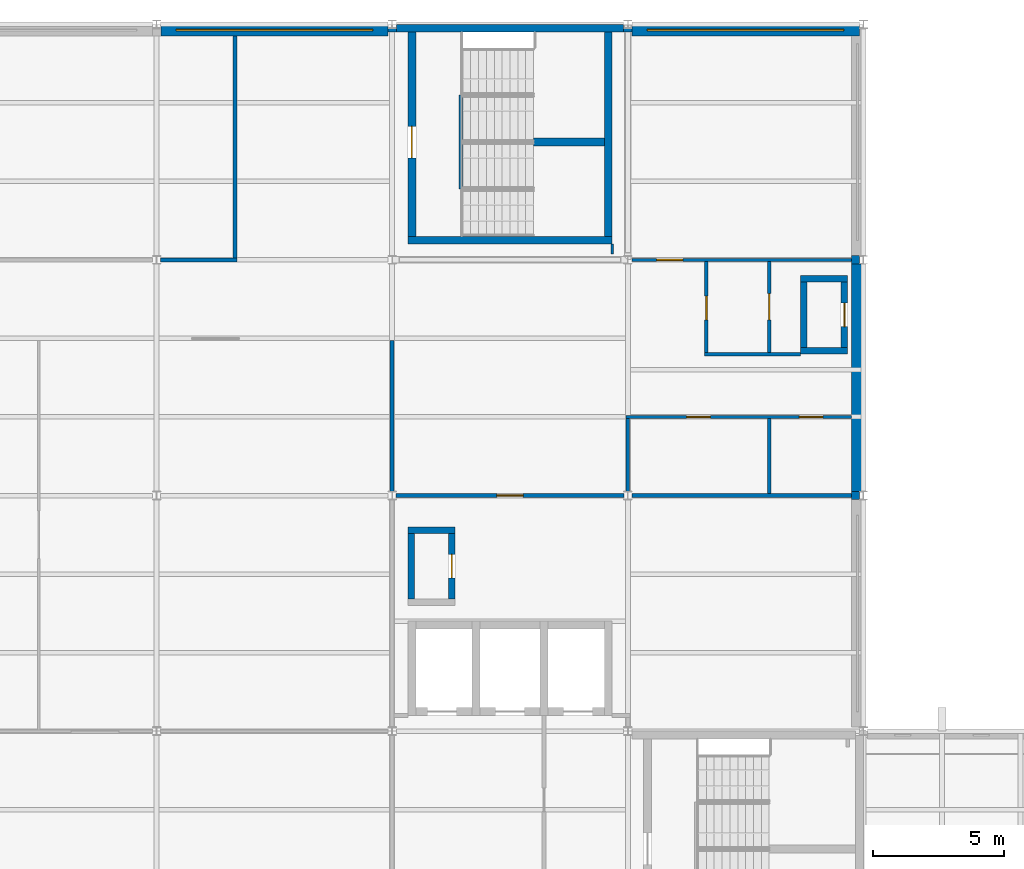
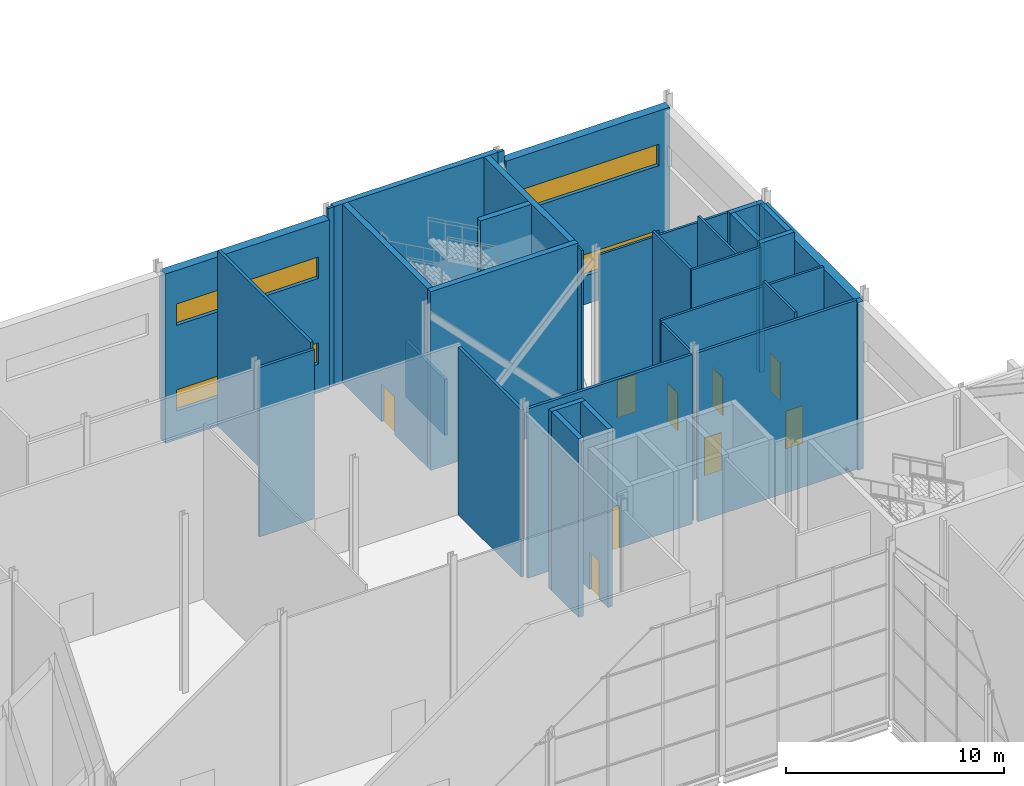
# One storey, part 94 of 111: 33 walls, 9 doors, 4 windows, 13 openings.
"""IFC4 building model written with IfcOpenShell, lengths in metres."""

from ifc_helpers import new_model, si_unit, direction, frame, frame_2d, origin, place, context, subcontext, project, spatial, rectangle, extrude, material, layer, layer_set, type_object, element, fill, save


model = new_model("IFC4")

# Units and contexts
model_context = context("Model", 3, precision=1e-05, world=origin(), true_north=direction((0.0, 1.0)))
body_context = subcontext(model_context, "Body", "Model", "MODEL_VIEW")
ifc_project = project(units=[si_unit("LENGTHUNIT", "METRE"), si_unit("AREAUNIT", "SQUARE_METRE"), si_unit("VOLUMEUNIT", "CUBIC_METRE"), si_unit("PLANEANGLEUNIT", "RADIAN"), si_unit("MASSUNIT", "GRAM", prefix="KILO")], contexts=[model_context])

# Site, building, storey
site_placement = place(None, origin())
site = spatial("IfcSite", under=ifc_project, at=site_placement, CompositionType="ELEMENT")
building_placement = place(site_placement, origin())
building = spatial("IfcBuilding", under=site, at=building_placement, Name="Shorebreak Coast Museum", CompositionType="ELEMENT")
storey_placement = place(building_placement, frame((0.0, 0.0, 16.0)))
storey = spatial("IfcBuildingStorey", under=building, at=storey_placement, Name="L03", CompositionType="ELEMENT", Elevation=16.0)

# Walls
ifc_material_1 = material(Name="Concrete N50 (50 MPa)", Category="concrete")
ifc_layer_1 = layer(ifc_material_1, 0.136474609375)
ifc_layer_set_1 = layer_set([ifc_layer_1], Name="Concrete N50 (50 MPa)")
wall_type_1 = type_object("IfcWallType", Name="Column closure panel 136", PredefinedType="SOLIDWALL", material=ifc_layer_set_1)
for number, where, z_axis, x_axis, name in (
    (1, (98.83349609375, 116.768310546875, 0.0), (0.0, 0.0, 1.0), (1.0, 0.0, 0.0), "Column closure panel L03 N 12P"),
    (2, (107.844482421875, 116.768310546875, 0.0), (0.0, 0.0, 1.0), (1.0, 0.0, 0.0), "Column closure panel L03 N 13P"),
):
    element("IfcWall", number, at=place(storey_placement, frame(where, z_axis=z_axis, x_axis=x_axis)), inside=storey, type_object=wall_type_1, Name=name, PredefinedType="SOLIDWALL", context=body_context, shape_type="SweptSolid", body=[
        extrude(rectangle(XDim=0.322021484375, YDim=0.136474609375, at=frame_2d((0.1611328125, 0.0))), origin(), (0.0, 0.0, 1.0), 10.0),
    ])
ifc_material_2 = material(Name="Concrete N50 (50 MPa)", Category="concrete")
ifc_layer_2 = layer(ifc_material_2, 0.29638671875)
ifc_layer_set_2 = layer_set([ifc_layer_2], Name="Concrete N50 (50 MPa)")
wall_type_2 = type_object("IfcWallType", Name="Column closure panel 297", PredefinedType="SOLIDWALL", material=ifc_layer_set_2)
for number, where, z_axis, x_axis, name in (
    (3, (116.69873046875, 98.839111328125, 0.0), (0.0, 0.0, 1.0), (0.0, 1.0, 0.0), "Column closure panel L03 E 14M"),
    (4, (116.69873046875, 107.839111328125, 0.0), (0.0, 0.0, 1.0), (0.0, 1.0, 0.0), "Column closure panel L03 E 14N"),
):
    element("IfcWall", number, at=place(storey_placement, frame(where, z_axis=z_axis, x_axis=x_axis)), inside=storey, type_object=wall_type_2, Name=name, PredefinedType="SOLIDWALL", context=body_context, shape_type="SweptSolid", body=[
        extrude(rectangle(XDim=0.32177734375, YDim=0.297607421875, at=frame_2d((0.160888671875, 0.0))), origin(), (0.0, 0.0, 1.0), 9.37109375),
    ])
ifc_material_3 = material(Name="Concrete N50 (50 MPa)", Category="concrete")
ifc_layer_3 = layer(ifc_material_3, 0.449951171875)
ifc_layer_set_3 = layer_set([ifc_layer_3], Name="Concrete N50 (50 MPa)")
wall_type_3 = type_object("IfcWallType", Name="Deep-set precast panel 450", PredefinedType="SOLIDWALL", material=ifc_layer_set_3)
wall_1_placement = place(storey_placement, frame((116.77490234375, 99.160888671875, 0.0), z_axis=(0.0, 0.0, 1.0), x_axis=(0.0, 1.0, 0.0)))
element("IfcWall", 5, at=wall_1_placement, inside=storey, type_object=wall_type_3, Name="External wall L03 E 14M", PredefinedType="SOLIDWALL", context=body_context, shape_type="SweptSolid", body=[
    extrude(rectangle(XDim=8.67822265625, YDim=0.449951171875, at=frame_2d((4.339111328125, 0.0))), origin(), (0.0, 0.0, 1.0), 9.37109375),
])

# Wall, openings, windows
wall_2_placement = place(storey_placement, frame((90.160888671875, 116.77490234375, 0.0), z_axis=(0.0, 0.0, 1.0), x_axis=(1.0, 0.0, 0.0)))
wall_2 = element("IfcWall", 6, at=wall_2_placement, inside=storey, type_object=wall_type_3, Name="External wall L03 N 11P", PredefinedType="SOLIDWALL", context=body_context, shape_type="SweptSolid", body=[
    extrude(rectangle(XDim=8.672607421875, YDim=0.449951171875, at=frame_2d((4.33642578125, 0.0))), origin(), (0.0, 0.0, 1.0), 9.472900390625),
])
opening_1_placement = place(wall_2_placement, frame((0.589111328125, 0.0, 1.60009765625)))
opening_1 = element("IfcOpeningElement", 7, at=opening_1_placement, cuts=wall_2, Name="Opening WN3026", PredefinedType="OPENING", context=body_context, shape_type="SweptSolid", body=[
    extrude(rectangle(XDim=7.5, YDim=1.199951171875, at=frame_2d((3.75, 0.60009765625))), frame((0.0, 0.23486328125, 0.0), z_axis=(0.0, -1.0, 0.0), x_axis=(1.0, 0.0, 0.0)), (0.0, 0.0, 1.0), 0.469970703125),
])
opening_2_placement = place(wall_2_placement, frame((0.589111328125, 0.0, 6.39990234375)))
opening_2 = element("IfcOpeningElement", 8, at=opening_2_placement, cuts=wall_2, Name="Opening WN3027", PredefinedType="OPENING", context=body_context, shape_type="SweptSolid", body=[
    extrude(rectangle(XDim=7.5, YDim=1.199951171875, at=frame_2d((3.75, 0.60009765625))), frame((0.0, 0.23486328125, 0.0), z_axis=(0.0, -1.0, 0.0), x_axis=(1.0, 0.0, 0.0)), (0.0, 0.0, 1.0), 0.469970703125),
])
ifc_material_4 = material(Name="Aluminium", Category="aluminium")
window_type_1 = type_object("IfcWindowType", Name="Ribbon window 7500 x 1200", PartitioningType="SINGLE_PANEL", PredefinedType="WINDOW", material=ifc_material_4)
window_1_placement = place(opening_1_placement, origin())
window_1 = element("IfcWindow", 9, at=window_1_placement, inside=storey, type_object=window_type_1, Name="Window WN3026", OverallHeight=1.199951171875, OverallWidth=7.5, PartitioningType="SINGLE_PANEL", PredefinedType="WINDOW", context=body_context, shape_type="SweptSolid", body=[
    extrude(rectangle(XDim=7.5, YDim=1.199951171875, at=frame_2d((3.75, 0.60009765625))), frame((0.0, 0.030029296875, 0.0), z_axis=(0.0, -1.0, 0.0), x_axis=(1.0, 0.0, 0.0)), (0.0, 0.0, 1.0), 0.06005859375),
])
fill(opening_1, window_1)
ifc_material_5 = material(Name="Aluminium", Category="aluminium")
window_type_2 = type_object("IfcWindowType", Name="Upper ribbon window 7500 x 1200", PartitioningType="SINGLE_PANEL", PredefinedType="WINDOW", material=ifc_material_5)
window_2_placement = place(opening_2_placement, origin())
window_2 = element("IfcWindow", 10, at=window_2_placement, inside=storey, type_object=window_type_2, Name="Window WN3027", OverallHeight=1.199951171875, OverallWidth=7.5, PartitioningType="SINGLE_PANEL", PredefinedType="WINDOW", context=body_context, shape_type="SweptSolid", body=[
    extrude(rectangle(XDim=7.5, YDim=1.199951171875, at=frame_2d((3.75, 0.60009765625))), frame((0.0, 0.030029296875, 0.0), z_axis=(0.0, -1.0, 0.0), x_axis=(1.0, 0.0, 0.0)), (0.0, 0.0, 1.0), 0.06005859375),
])
fill(opening_2, window_2)

wall_3_placement = place(storey_placement, frame((108.16650390625, 116.77490234375, 0.0), z_axis=(0.0, 0.0, 1.0), x_axis=(1.0, 0.0, 0.0)))
wall_3 = element("IfcWall", 11, at=wall_3_placement, inside=storey, type_object=wall_type_3, Name="External wall L03 N 13P", PredefinedType="SOLIDWALL", context=body_context, shape_type="SweptSolid", body=[
    extrude(rectangle(XDim=8.677978515625, YDim=0.449951171875, at=frame_2d((4.3388671875, 0.0))), origin(), (0.0, 0.0, 1.0), 9.472900390625),
])
opening_3_placement = place(wall_3_placement, frame((0.58349609375, 0.0, 1.60009765625)))
opening_3 = element("IfcOpeningElement", 12, at=opening_3_placement, cuts=wall_3, Name="Opening WN3028", PredefinedType="OPENING", context=body_context, shape_type="SweptSolid", body=[
    extrude(rectangle(XDim=7.5, YDim=1.199951171875, at=frame_2d((3.75, 0.60009765625))), frame((0.0, 0.23486328125, 0.0), z_axis=(0.0, -1.0, 0.0), x_axis=(1.0, 0.0, 0.0)), (0.0, 0.0, 1.0), 0.469970703125),
])
opening_4_placement = place(wall_3_placement, frame((0.58349609375, 0.0, 6.39990234375)))
opening_4 = element("IfcOpeningElement", 13, at=opening_4_placement, cuts=wall_3, Name="Opening WN3029", PredefinedType="OPENING", context=body_context, shape_type="SweptSolid", body=[
    extrude(rectangle(XDim=7.5, YDim=1.199951171875, at=frame_2d((3.75, 0.60009765625))), frame((0.0, 0.23486328125, 0.0), z_axis=(0.0, -1.0, 0.0), x_axis=(1.0, 0.0, 0.0)), (0.0, 0.0, 1.0), 0.469970703125),
])
window_3_placement = place(opening_3_placement, origin())
window_3 = element("IfcWindow", 14, at=window_3_placement, inside=storey, type_object=window_type_1, Name="Window WN3028", OverallHeight=1.199951171875, OverallWidth=7.5, PartitioningType="SINGLE_PANEL", PredefinedType="WINDOW", context=body_context, shape_type="SweptSolid", body=[
    extrude(rectangle(XDim=7.5, YDim=1.199951171875, at=frame_2d((3.75, 0.60009765625))), frame((0.0, 0.030029296875, 0.0), z_axis=(0.0, -1.0, 0.0), x_axis=(1.0, 0.0, 0.0)), (0.0, 0.0, 1.0), 0.06005859375),
])
fill(opening_3, window_3)
window_4_placement = place(opening_4_placement, origin())
window_4 = element("IfcWindow", 15, at=window_4_placement, inside=storey, type_object=window_type_2, Name="Window WN3029", OverallHeight=1.199951171875, OverallWidth=7.5, PartitioningType="SINGLE_PANEL", PredefinedType="WINDOW", context=body_context, shape_type="SweptSolid", body=[
    extrude(rectangle(XDim=7.5, YDim=1.199951171875, at=frame_2d((3.75, 0.60009765625))), frame((0.0, 0.030029296875, 0.0), z_axis=(0.0, -1.0, 0.0), x_axis=(1.0, 0.0, 0.0)), (0.0, 0.0, 1.0), 0.06005859375),
])
fill(opening_4, window_4)

# Wall, opening, door
ifc_material_6 = material(Name="Plasterboard on steel stud", Category="steel")
ifc_layer_4 = layer(ifc_material_6, 0.14990234375)
ifc_layer_set_4 = layer_set([ifc_layer_4], Name="Plasterboard on steel stud")
wall_type_4 = type_object("IfcWallType", Name="Fire partition 150", PredefinedType="PARTITIONING", material=ifc_layer_set_4)
wall_4_placement = place(storey_placement, frame((99.152587890625, 99.0, 0.0), z_axis=(0.0, 0.0, 1.0), x_axis=(1.0, 0.0, 0.0)))
wall_4 = element("IfcWall", 16, at=wall_4_placement, inside=storey, type_object=wall_type_4, Name="Partition L03-028", PredefinedType="PARTITIONING", context=body_context, shape_type="SweptSolid", body=[
    extrude(rectangle(XDim=8.69482421875, YDim=0.14990234375, at=frame_2d((4.347412109375, 0.0))), origin(), (0.0, 0.0, 1.0), 9.472900390625),
])
opening_5_placement = place(wall_4_placement, frame((3.85009765625, 0.0, 0.0)))
opening_5 = element("IfcOpeningElement", 17, at=opening_5_placement, cuts=wall_4, Name="Opening D3008", PredefinedType="OPENING", context=body_context, shape_type="SweptSolid", body=[
    extrude(rectangle(XDim=1.0, YDim=2.39990234375, at=frame_2d((0.5, 1.199951171875))), frame((0.0, 0.0849609375, 0.0), z_axis=(0.0, -1.0, 0.0), x_axis=(1.0, 0.0, 0.0)), (0.0, 0.0, 1.0), 0.169921875),
])
ifc_material_7 = material(Name="Steel", Category="steel")
door_type_1 = type_object("IfcDoorType", Name="Fire door 1000x2400 60", OperationType="SINGLE_SWING_LEFT", PredefinedType="DOOR", material=ifc_material_7)
door_1_placement = place(opening_5_placement, origin())
door_1 = element("IfcDoor", 18, at=door_1_placement, inside=storey, type_object=door_type_1, Name="Door D3008 Lift Services Room E", OperationType="SINGLE_SWING_LEFT", OverallHeight=2.39990234375, OverallWidth=1.0, PredefinedType="DOOR", context=body_context, shape_type="SweptSolid", body=[
    extrude(rectangle(XDim=1.0, YDim=2.39990234375, at=frame_2d((0.5, 1.199951171875))), frame((0.0, 0.02490234375, 0.0), z_axis=(0.0, -1.0, 0.0), x_axis=(1.0, 0.0, 0.0)), (0.0, 0.0, 1.0), 0.050048828125),
])
fill(opening_5, door_1)

# Walls
wall_5_placement = place(storey_placement, frame((108.152587890625, 99.0, 0.0), z_axis=(0.0, 0.0, 1.0), x_axis=(1.0, 0.0, 0.0)))
element("IfcWall", 19, at=wall_5_placement, inside=storey, type_object=wall_type_4, Name="Partition L03-029", PredefinedType="PARTITIONING", context=body_context, shape_type="SweptSolid", body=[
    extrude(rectangle(XDim=8.3974609375, YDim=0.14990234375, at=frame_2d((4.19873046875, 0.0))), origin(), (0.0, 0.0, 1.0), 9.472900390625),
])
wall_6_placement = place(storey_placement, frame((90.152587890625, 108.0, 0.0), z_axis=(0.0, 0.0, 1.0), x_axis=(1.0, 0.0, 0.0)))
element("IfcWall", 20, at=wall_6_placement, inside=storey, type_object=wall_type_4, Name="Partition L03-038", PredefinedType="PARTITIONING", context=body_context, shape_type="SweptSolid", body=[
    extrude(rectangle(XDim=2.92236328125, YDim=0.14990234375, at=frame_2d((1.461181640625, 0.0))), origin(), (0.0, 0.0, 1.0), 9.472900390625),
])
wall_7_placement = place(storey_placement, frame((93.0, 108.074951171875, 0.0), z_axis=(0.0, 0.0, 1.0), x_axis=(0.0, 1.0, 0.0)))
element("IfcWall", 21, at=wall_7_placement, inside=storey, type_object=wall_type_4, Name="Partition L03-059", PredefinedType="PARTITIONING", context=body_context, shape_type="SweptSolid", body=[
    extrude(rectangle(XDim=8.47509765625, YDim=0.14990234375, at=frame_2d((4.237548828125, 0.0))), origin(), (0.0, 0.0, 1.0), 9.824951171875),
])
wall_8_placement = place(storey_placement, frame((99.0, 99.154052734375, 0.0), z_axis=(0.0, 0.0, 1.0), x_axis=(0.0, 1.0, 0.0)))
element("IfcWall", 22, at=wall_8_placement, inside=storey, type_object=wall_type_4, Name="Partition L03-062", PredefinedType="PARTITIONING", context=body_context, shape_type="SweptSolid", body=[
    extrude(rectangle(XDim=5.77099609375, YDim=0.14990234375, at=frame_2d((2.885498046875, 0.0))), origin(), (0.0, 0.0, 1.0), 9.37109375),
])
ifc_material_8 = material(Name="Plasterboard on steel stud", Category="steel")
ifc_layer_5 = layer(ifc_material_8, 0.10009765625)
ifc_layer_set_5 = layer_set([ifc_layer_5], Name="Plasterboard on steel stud")
wall_type_5 = type_object("IfcWallType", Name="Partition 100", PredefinedType="PARTITIONING", material=ifc_layer_set_5)
wall_9_placement = place(storey_placement, frame((107.39990234375, 108.219970703125, 0.0), z_axis=(0.0, 0.0, 1.0), x_axis=(0.0, 1.0, 0.0)))
element("IfcWall", 23, at=wall_9_placement, inside=storey, type_object=wall_type_5, Name="Partition L03-065", PredefinedType="PARTITIONING", context=body_context, shape_type="SweptSolid", body=[
    extrude(rectangle(XDim=0.380126953125, YDim=0.10009765625, at=frame_2d((0.18994140625, 0.0))), origin(), (0.0, 0.0, 1.0), 9.824951171875),
])

# Wall, openings, doors
ifc_material_9 = material(Name="Plasterboard on steel stud", Category="steel")
ifc_layer_6 = layer(ifc_material_9, 0.125)
ifc_layer_set_6 = layer_set([ifc_layer_6], Name="Plasterboard on steel stud")
wall_type_6 = type_object("IfcWallType", Name="Partition 125", PredefinedType="PARTITIONING", material=ifc_layer_set_6)
wall_10_placement = place(storey_placement, frame((107.9375, 102.0, 0.0), z_axis=(0.0, 0.0, 1.0), x_axis=(1.0, 0.0, 0.0)))
wall_10 = element("IfcWall", 24, at=wall_10_placement, inside=storey, type_object=wall_type_6, Name="Partition L03-031", PredefinedType="PARTITIONING", context=body_context, shape_type="SweptSolid", body=[
    extrude(rectangle(XDim=8.612548828125, YDim=0.125, at=frame_2d((4.30615234375, 0.0))), origin(), (0.0, 0.0, 1.0), 9.52099609375),
])
opening_6_placement = place(wall_10_placement, frame((6.612548828125, 0.0, 0.0)))
opening_6 = element("IfcOpeningElement", 25, at=opening_6_placement, cuts=wall_10, Name="Opening D3015", PredefinedType="OPENING", context=body_context, shape_type="SweptSolid", body=[
    extrude(rectangle(XDim=0.89990234375, YDim=2.10009765625, at=frame_2d((0.449951171875, 1.050048828125))), frame((0.0, 0.072509765625, 0.0), z_axis=(0.0, -1.0, 0.0), x_axis=(1.0, 0.0, 0.0)), (0.0, 0.0, 1.0), 0.14501953125),
])
opening_7_placement = place(wall_10_placement, frame((2.3125, 0.0, 0.0)))
opening_7 = element("IfcOpeningElement", 26, at=opening_7_placement, cuts=wall_10, Name="Opening D3016", PredefinedType="OPENING", context=body_context, shape_type="SweptSolid", body=[
    extrude(rectangle(XDim=0.89990234375, YDim=2.10009765625, at=frame_2d((0.449951171875, 1.050048828125))), frame((0.0, 0.072509765625, 0.0), z_axis=(0.0, -1.0, 0.0), x_axis=(1.0, 0.0, 0.0)), (0.0, 0.0, 1.0), 0.14501953125),
])
ifc_material_10 = material(Name="Timber", Category="wood")
door_type_2 = type_object("IfcDoorType", Name="Interior door 900x2100", OperationType="SINGLE_SWING_LEFT", PredefinedType="DOOR", material=ifc_material_10)
door_2_placement = place(opening_6_placement, origin())
door_2 = element("IfcDoor", 27, at=door_2_placement, inside=storey, type_object=door_type_2, Name="Door D3015 Accessible WC N2", OperationType="SINGLE_SWING_LEFT", OverallHeight=2.10009765625, OverallWidth=0.89990234375, PredefinedType="DOOR", context=body_context, shape_type="SweptSolid", body=[
    extrude(rectangle(XDim=0.89990234375, YDim=2.10009765625, at=frame_2d((0.449951171875, 1.050048828125))), frame((0.0, 0.02490234375, 0.0), z_axis=(0.0, -1.0, 0.0), x_axis=(1.0, 0.0, 0.0)), (0.0, 0.0, 1.0), 0.050048828125),
])
fill(opening_6, door_2)
door_3_placement = place(opening_7_placement, origin())
door_3 = element("IfcDoor", 28, at=door_3_placement, inside=storey, type_object=door_type_2, Name="Door D3016 Male WC N2", OperationType="SINGLE_SWING_LEFT", OverallHeight=2.10009765625, OverallWidth=0.89990234375, PredefinedType="DOOR", context=body_context, shape_type="SweptSolid", body=[
    extrude(rectangle(XDim=0.89990234375, YDim=2.10009765625, at=frame_2d((0.449951171875, 1.050048828125))), frame((0.0, 0.02490234375, 0.0), z_axis=(0.0, -1.0, 0.0), x_axis=(1.0, 0.0, 0.0)), (0.0, 0.0, 1.0), 0.050048828125),
])
fill(opening_7, door_3)

# Wall
wall_11_placement = place(storey_placement, frame((110.9375, 104.39990234375, 0.0), z_axis=(0.0, 0.0, 1.0), x_axis=(1.0, 0.0, 0.0)))
element("IfcWall", 29, at=wall_11_placement, inside=storey, type_object=wall_type_6, Name="Partition L03-033", PredefinedType="PARTITIONING", context=body_context, shape_type="SweptSolid", body=[
    extrude(rectangle(XDim=3.66259765625, YDim=0.125, at=frame_2d((1.831298828125, 0.0))), origin(), (0.0, 0.0, 1.0), 9.824951171875),
])

# Wall, opening, door
wall_12_placement = place(storey_placement, frame((108.152587890625, 108.0, 0.0), z_axis=(0.0, 0.0, 1.0), x_axis=(1.0, 0.0, 0.0)))
wall_12 = element("IfcWall", 30, at=wall_12_placement, inside=storey, type_object=wall_type_6, Name="Partition L03-039", PredefinedType="PARTITIONING", context=body_context, shape_type="SweptSolid", body=[
    extrude(rectangle(XDim=8.3974609375, YDim=0.125, at=frame_2d((4.19873046875, 0.0))), origin(), (0.0, 0.0, 1.0), 9.472900390625),
])
opening_8_placement = place(wall_12_placement, frame((0.949951171875, 0.0, 0.0)))
opening_8 = element("IfcOpeningElement", 31, at=opening_8_placement, cuts=wall_12, Name="Opening D3018", PredefinedType="OPENING", context=body_context, shape_type="SweptSolid", body=[
    extrude(rectangle(XDim=1.0, YDim=2.10009765625, at=frame_2d((0.5, 1.050048828125))), frame((0.0, 0.072509765625, 0.0), z_axis=(0.0, -1.0, 0.0), x_axis=(1.0, 0.0, 0.0)), (0.0, 0.0, 1.0), 0.14501953125),
])
ifc_material_11 = material(Name="Timber", Category="wood")
door_type_3 = type_object("IfcDoorType", Name="Interior door 1000x2100", OperationType="SINGLE_SWING_LEFT", PredefinedType="DOOR", material=ifc_material_11)
door_4_placement = place(opening_8_placement, origin())
door_4 = element("IfcDoor", 32, at=door_4_placement, inside=storey, type_object=door_type_3, Name="Door D3018 Services Store 3.02", OperationType="SINGLE_SWING_RIGHT", OverallHeight=2.10009765625, OverallWidth=1.0, PredefinedType="DOOR", context=body_context, shape_type="SweptSolid", body=[
    extrude(rectangle(XDim=1.0, YDim=2.10009765625, at=frame_2d((0.5, 1.050048828125))), frame((0.0, 0.02490234375, 0.0), z_axis=(0.0, -1.0, 0.0), x_axis=(1.0, 0.0, 0.0)), (0.0, 0.0, 1.0), 0.050048828125),
])
fill(opening_8, door_4)

# Wall
wall_13_placement = place(storey_placement, frame((108.0, 99.154052734375, 0.0), z_axis=(0.0, 0.0, 1.0), x_axis=(0.0, 1.0, 0.0)))
element("IfcWall", 33, at=wall_13_placement, inside=storey, type_object=wall_type_6, Name="Partition L03-067", PredefinedType="PARTITIONING", context=body_context, shape_type="SweptSolid", body=[
    extrude(rectangle(XDim=2.783447265625, YDim=0.125, at=frame_2d((1.3916015625, 0.0))), origin(), (0.0, 0.0, 1.0), 9.37109375),
])

# Wall, opening, door
wall_14_placement = place(storey_placement, frame((111.0, 104.46240234375, 0.0), z_axis=(0.0, 0.0, 1.0), x_axis=(0.0, 1.0, 0.0)))
wall_14 = element("IfcWall", 34, at=wall_14_placement, inside=storey, type_object=wall_type_6, Name="Partition L03-071", PredefinedType="PARTITIONING", context=body_context, shape_type="SweptSolid", body=[
    extrude(rectangle(XDim=3.47509765625, YDim=0.125, at=frame_2d((1.737548828125, 0.0))), origin(), (0.0, 0.0, 1.0), 9.824951171875),
])
opening_9_placement = place(wall_14_placement, frame((1.25, 0.0, 0.0)))
opening_9 = element("IfcOpeningElement", 35, at=opening_9_placement, cuts=wall_14, Name="Opening D3014", PredefinedType="OPENING", context=body_context, shape_type="SweptSolid", body=[
    extrude(rectangle(XDim=0.89990234375, YDim=2.10009765625, at=frame_2d((0.449951171875, 1.050048828125))), frame((0.0, 0.072509765625, 0.0), z_axis=(0.0, -1.0, 0.0), x_axis=(1.0, 0.0, 0.0)), (0.0, 0.0, 1.0), 0.14501953125),
])
door_5_placement = place(opening_9_placement, origin())
door_5 = element("IfcDoor", 36, at=door_5_placement, inside=storey, type_object=door_type_2, Name="Door D3014 Female WC N2", OperationType="SINGLE_SWING_LEFT", OverallHeight=2.10009765625, OverallWidth=0.89990234375, PredefinedType="DOOR", context=body_context, shape_type="SweptSolid", body=[
    extrude(rectangle(XDim=0.89990234375, YDim=2.10009765625, at=frame_2d((0.449951171875, 1.050048828125))), frame((0.0, 0.02490234375, 0.0), z_axis=(0.0, -1.0, 0.0), x_axis=(1.0, 0.0, 0.0)), (0.0, 0.0, 1.0), 0.050048828125),
])
fill(opening_9, door_5)

# Wall
wall_15_placement = place(storey_placement, frame((113.39990234375, 99.074951171875, 0.0), z_axis=(0.0, 0.0, 1.0), x_axis=(0.0, 1.0, 0.0)))
element("IfcWall", 37, at=wall_15_placement, inside=storey, type_object=wall_type_6, Name="Partition L03-072", PredefinedType="PARTITIONING", context=body_context, shape_type="SweptSolid", body=[
    extrude(rectangle(XDim=2.862548828125, YDim=0.125, at=frame_2d((1.43115234375, 0.0))), origin(), (0.0, 0.0, 1.0), 9.824951171875),
])

# Wall, opening, door
wall_16_placement = place(storey_placement, frame((113.39990234375, 104.46240234375, 0.0), z_axis=(0.0, 0.0, 1.0), x_axis=(0.0, 1.0, 0.0)))
wall_16 = element("IfcWall", 38, at=wall_16_placement, inside=storey, type_object=wall_type_6, Name="Partition L03-073", PredefinedType="PARTITIONING", context=body_context, shape_type="SweptSolid", body=[
    extrude(rectangle(XDim=3.47509765625, YDim=0.125, at=frame_2d((1.737548828125, 0.0))), origin(), (0.0, 0.0, 1.0), 9.824951171875),
])
opening_10_placement = place(wall_16_placement, frame((1.25, 0.0, 0.0)))
opening_10 = element("IfcOpeningElement", 39, at=opening_10_placement, cuts=wall_16, Name="Opening D3013", PredefinedType="OPENING", context=body_context, shape_type="SweptSolid", body=[
    extrude(rectangle(XDim=1.0, YDim=2.10009765625, at=frame_2d((0.5, 1.050048828125))), frame((0.0, 0.072509765625, 0.0), z_axis=(0.0, -1.0, 0.0), x_axis=(1.0, 0.0, 0.0)), (0.0, 0.0, 1.0), 0.14501953125),
])
door_6_placement = place(opening_10_placement, origin())
door_6 = element("IfcDoor", 40, at=door_6_placement, inside=storey, type_object=door_type_3, Name="Door D3013 Cleaner Store N2", OperationType="SINGLE_SWING_RIGHT", OverallHeight=2.10009765625, OverallWidth=1.0, PredefinedType="DOOR", context=body_context, shape_type="SweptSolid", body=[
    extrude(rectangle(XDim=1.0, YDim=2.10009765625, at=frame_2d((0.5, 1.050048828125))), frame((0.0, 0.02490234375, 0.0), z_axis=(0.0, -1.0, 0.0), x_axis=(1.0, 0.0, 0.0)), (0.0, 0.0, 1.0), 0.050048828125),
])
fill(opening_10, door_6)

# Walls
ifc_material_12 = material(Name="Concrete N50 (50 MPa)", Category="concrete")
ifc_layer_7 = layer(ifc_material_12, 0.25)
ifc_layer_set_7 = layer_set([ifc_layer_7], Name="Concrete N50 (50 MPa)")
wall_type_7 = type_object("IfcWallType", Name="RC riser wall 250", PredefinedType="STANDARD", material=ifc_layer_set_7)
for number, where, z_axis, x_axis, name in (
    (41, (114.60009765625, 104.52490234375, 0.0), (0.0, 0.0, 1.0), (1.0, 0.0, 0.0), "Riser wall R-WC-N2 L03 S"),
    (42, (114.60009765625, 107.27490234375, 0.0), (0.0, 0.0, 1.0), (1.0, 0.0, 0.0), "Riser wall R-WC-N2 L03 N"),
):
    element("IfcWall", number, at=place(storey_placement, frame(where, z_axis=z_axis, x_axis=x_axis)), inside=storey, type_object=wall_type_7, Name=name, PredefinedType="STANDARD", context=body_context, shape_type="SweptSolid", body=[
        extrude(rectangle(XDim=1.7998046875, YDim=0.25, at=frame_2d((0.89990234375, 0.0))), origin(), (0.0, 0.0, 1.0), 10.0),
    ])
wall_17_placement = place(storey_placement, frame((114.72509765625, 104.64990234375, 0.0), z_axis=(0.0, 0.0, 1.0), x_axis=(0.0, 1.0, 0.0)))
element("IfcWall", 43, at=wall_17_placement, inside=storey, type_object=wall_type_7, Name="Riser wall R-WC-N2 L03 W", PredefinedType="STANDARD", context=body_context, shape_type="SweptSolid", body=[
    extrude(rectangle(XDim=2.5, YDim=0.25, at=frame_2d((1.25, 0.0))), origin(), (0.0, 0.0, 1.0), 10.0),
])

# Wall, opening, door
wall_18_placement = place(storey_placement, frame((116.27490234375, 104.64990234375, 0.0), z_axis=(0.0, 0.0, 1.0), x_axis=(0.0, 1.0, 0.0)))
wall_18 = element("IfcWall", 44, at=wall_18_placement, inside=storey, type_object=wall_type_7, Name="Riser wall R-WC-N2 L03 E", PredefinedType="STANDARD", context=body_context, shape_type="SweptSolid", body=[
    extrude(rectangle(XDim=2.5, YDim=0.25, at=frame_2d((1.25, 0.0))), origin(), (0.0, 0.0, 1.0), 10.0),
])
opening_11_placement = place(wall_18_placement, frame((0.800048828125, 0.0, 0.0)))
opening_11 = element("IfcOpeningElement", 45, at=opening_11_placement, cuts=wall_18, Name="Opening D3602", PredefinedType="OPENING", context=body_context, shape_type="SweptSolid", body=[
    extrude(rectangle(XDim=0.89990234375, YDim=2.10009765625, at=frame_2d((0.449951171875, 1.050048828125))), frame((0.0, 0.135009765625, 0.0), z_axis=(0.0, -1.0, 0.0), x_axis=(1.0, 0.0, 0.0)), (0.0, 0.0, 1.0), 0.27001953125),
])
ifc_material_13 = material(Name="Steel Grade 300", Category="steel")
door_type_4 = type_object("IfcDoorType", Name="Riser door 900x2100", OperationType="SINGLE_SWING_LEFT", PredefinedType="DOOR", material=ifc_material_13)
door_7_placement = place(opening_11_placement, origin())
door_7 = element("IfcDoor", 46, at=door_7_placement, inside=storey, type_object=door_type_4, Name="Riser door R-WC-N2 L03", OperationType="SINGLE_SWING_RIGHT", OverallHeight=2.10009765625, OverallWidth=0.89990234375, PredefinedType="DOOR", context=body_context, shape_type="SweptSolid", body=[
    extrude(rectangle(XDim=0.89990234375, YDim=2.10009765625, at=frame_2d((0.449951171875, 1.050048828125))), frame((0.0, 0.02490234375, 0.0), z_axis=(0.0, -1.0, 0.0), x_axis=(1.0, 0.0, 0.0)), (0.0, 0.0, 1.0), 0.050048828125),
])
fill(opening_11, door_7)

# Walls
wall_19_placement = place(storey_placement, frame((99.60009765625, 97.675048828125, 0.0), z_axis=(0.0, 0.0, 1.0), x_axis=(1.0, 0.0, 0.0)))
element("IfcWall", 47, at=wall_19_placement, inside=storey, type_object=wall_type_7, Name="Riser wall R-LBE L03 N", PredefinedType="STANDARD", context=body_context, shape_type="SweptSolid", body=[
    extrude(rectangle(XDim=1.7998046875, YDim=0.25, at=frame_2d((0.89990234375, 0.0))), origin(), (0.0, 0.0, 1.0), 10.0),
])
wall_20_placement = place(storey_placement, frame((99.72509765625, 95.050048828125, 0.0), z_axis=(0.0, 0.0, 1.0), x_axis=(0.0, 1.0, 0.0)))
element("IfcWall", 48, at=wall_20_placement, inside=storey, type_object=wall_type_7, Name="Riser wall R-LBE L03 W", PredefinedType="STANDARD", context=body_context, shape_type="SweptSolid", body=[
    extrude(rectangle(XDim=2.5, YDim=0.25, at=frame_2d((1.25, 0.0))), origin(), (0.0, 0.0, 1.0), 10.0),
])

# Wall, opening, door
wall_21_placement = place(storey_placement, frame((101.27490234375, 95.050048828125, 0.0), z_axis=(0.0, 0.0, 1.0), x_axis=(0.0, 1.0, 0.0)))
wall_21 = element("IfcWall", 49, at=wall_21_placement, inside=storey, type_object=wall_type_7, Name="Riser wall R-LBE L03 E", PredefinedType="STANDARD", context=body_context, shape_type="SweptSolid", body=[
    extrude(rectangle(XDim=2.5, YDim=0.25, at=frame_2d((1.25, 0.0))), origin(), (0.0, 0.0, 1.0), 10.0),
])
opening_12_placement = place(wall_21_placement, frame((0.800048828125, 0.0, 0.0)))
opening_12 = element("IfcOpeningElement", 50, at=opening_12_placement, cuts=wall_21, Name="Opening D3607", PredefinedType="OPENING", context=body_context, shape_type="SweptSolid", body=[
    extrude(rectangle(XDim=0.89990234375, YDim=2.10009765625, at=frame_2d((0.449951171875, 1.050048828125))), frame((0.0, 0.135009765625, 0.0), z_axis=(0.0, -1.0, 0.0), x_axis=(1.0, 0.0, 0.0)), (0.0, 0.0, 1.0), 0.27001953125),
])
door_8_placement = place(opening_12_placement, origin())
door_8 = element("IfcDoor", 51, at=door_8_placement, inside=storey, type_object=door_type_4, Name="Riser door R-LBE L03", OperationType="SINGLE_SWING_LEFT", OverallHeight=2.10009765625, OverallWidth=0.89990234375, PredefinedType="DOOR", context=body_context, shape_type="SweptSolid", body=[
    extrude(rectangle(XDim=0.89990234375, YDim=2.10009765625, at=frame_2d((0.449951171875, 1.050048828125))), frame((0.0, 0.02490234375, 0.0), z_axis=(0.0, -1.0, 0.0), x_axis=(1.0, 0.0, 0.0)), (0.0, 0.0, 1.0), 0.050048828125),
])
fill(opening_12, door_8)

# Walls
ifc_material_14 = material(Name="Concrete N50 (50 MPa)", Category="concrete")
ifc_layer_8 = layer(ifc_material_14, 0.300048828125)
ifc_layer_set_8 = layer_set([ifc_layer_8], Name="Concrete N50 (50 MPa)")
wall_type_8 = type_object("IfcWallType", Name="RC wall 300", PredefinedType="SHEAR", material=ifc_layer_set_8)
wall_22_placement = place(storey_placement, frame((99.60009765625, 108.75, 0.0), z_axis=(0.0, 0.0, 1.0), x_axis=(1.0, 0.0, 0.0)))
element("IfcWall", 52, at=wall_22_placement, inside=storey, type_object=wall_type_8, Name="Stair core wall ST10 L03 S", PredefinedType="SHEAR", context=body_context, shape_type="SweptSolid", body=[
    extrude(rectangle(XDim=7.7998046875, YDim=0.300048828125, at=frame_2d((3.89990234375, 0.0))), origin(), (0.0, 0.0, 1.0), 10.0),
])
wall_23_placement = place(storey_placement, frame((99.155517578125, 116.85009765625, 0.0), z_axis=(0.0, 0.0, 1.0), x_axis=(1.0, 0.0, 0.0)))
element("IfcWall", 53, at=wall_23_placement, inside=storey, type_object=wall_type_8, Name="Stair core wall ST10 L03 N", PredefinedType="SHEAR", context=body_context, shape_type="SweptSolid", body=[
    extrude(rectangle(XDim=8.68896484375, YDim=0.300048828125, at=frame_2d((4.344482421875, 0.0))), origin(), (0.0, 0.0, 1.0), 10.0),
])

# Wall, opening, door
wall_24_placement = place(storey_placement, frame((99.75, 108.89990234375, 0.0), z_axis=(0.0, 0.0, 1.0), x_axis=(0.0, 1.0, 0.0)))
wall_24 = element("IfcWall", 54, at=wall_24_placement, inside=storey, type_object=wall_type_8, Name="Stair core wall ST10 L03 W", PredefinedType="SHEAR", context=body_context, shape_type="SweptSolid", body=[
    extrude(rectangle(XDim=7.800048828125, YDim=0.300048828125, at=frame_2d((3.89990234375, 0.0))), origin(), (0.0, 0.0, 1.0), 10.0),
])
opening_13_placement = place(wall_24_placement, frame((3.0, 0.0, 0.0)))
opening_13 = element("IfcOpeningElement", 55, at=opening_13_placement, cuts=wall_24, Name="Opening D3810", PredefinedType="OPENING", context=body_context, shape_type="SweptSolid", body=[
    extrude(rectangle(XDim=1.199951171875, YDim=2.10009765625, at=frame_2d((0.60009765625, 1.050048828125))), frame((0.0, 0.159912109375, 0.0), z_axis=(0.0, -1.0, 0.0), x_axis=(1.0, 0.0, 0.0)), (0.0, 0.0, 1.0), 0.320068359375),
])
ifc_material_15 = material(Name="Steel Grade 300", Category="steel")
door_type_5 = type_object("IfcDoorType", Name="Fire door 1200x2100", OperationType="SINGLE_SWING_LEFT", PredefinedType="DOOR", material=ifc_material_15)
door_9_placement = place(opening_13_placement, origin())
door_9 = element("IfcDoor", 56, at=door_9_placement, inside=storey, type_object=door_type_5, Name="Stair door ST10 L03", OperationType="SINGLE_SWING_LEFT", OverallHeight=2.10009765625, OverallWidth=1.199951171875, PredefinedType="DOOR", context=body_context, shape_type="SweptSolid", body=[
    extrude(rectangle(XDim=1.199951171875, YDim=2.10009765625, at=frame_2d((0.60009765625, 1.050048828125))), frame((0.0, 0.02490234375, 0.0), z_axis=(0.0, -1.0, 0.0), x_axis=(1.0, 0.0, 0.0)), (0.0, 0.0, 1.0), 0.050048828125),
])
fill(opening_13, door_9)

# Walls
wall_25_placement = place(storey_placement, frame((107.25, 108.89990234375, 0.0), z_axis=(0.0, 0.0, 1.0), x_axis=(0.0, 1.0, 0.0)))
element("IfcWall", 57, at=wall_25_placement, inside=storey, type_object=wall_type_8, Name="Stair core wall ST10 L03 E", PredefinedType="SHEAR", context=body_context, shape_type="SweptSolid", body=[
    extrude(rectangle(XDim=7.800048828125, YDim=0.300048828125, at=frame_2d((3.89990234375, 0.0))), origin(), (0.0, 0.0, 1.0), 10.0),
])
wall_26_placement = place(storey_placement, frame((104.39990234375, 112.5, 0.0), z_axis=(0.0, 0.0, 1.0), x_axis=(1.0, 0.0, 0.0)))
element("IfcWall", 58, at=wall_26_placement, inside=storey, type_object=wall_type_8, Name="Stair spine wall ST10 L03", PredefinedType="SHEAR", context=body_context, shape_type="SweptSolid", body=[
    extrude(rectangle(XDim=2.7001953125, YDim=0.300048828125, at=frame_2d((1.35009765625, 0.0))), origin(), (0.0, 0.0, 1.0), 10.0),
])
ifc_material_16 = material(Name="Concrete N50 (50 MPa)", Category="concrete")
ifc_layer_9 = layer(ifc_material_16, 0.14990234375)
ifc_layer_set_9 = layer_set([ifc_layer_9], Name="Concrete N50 (50 MPa)")
wall_type_9 = type_object("IfcWallType", Name="Understair wall 150", PredefinedType="STANDARD", material=ifc_layer_set_9)
wall_27_placement = place(storey_placement, frame((101.625, 110.699951171875, 0.0), z_axis=(0.0, 0.0, 1.0), x_axis=(0.0, 1.0, 0.0)))
element("IfcWall", 59, at=wall_27_placement, inside=storey, type_object=wall_type_9, Name="Understair wall ST10 L03 floor", PredefinedType="STANDARD", context=body_context, shape_type="SweptSolid", body=[
    extrude(rectangle(XDim=3.60009765625, YDim=0.14990234375, at=frame_2d((1.800048828125, 0.0))), origin(), (0.0, 0.0, 1.0), 3.13330078125),
])

save(model, "model.ifc")
